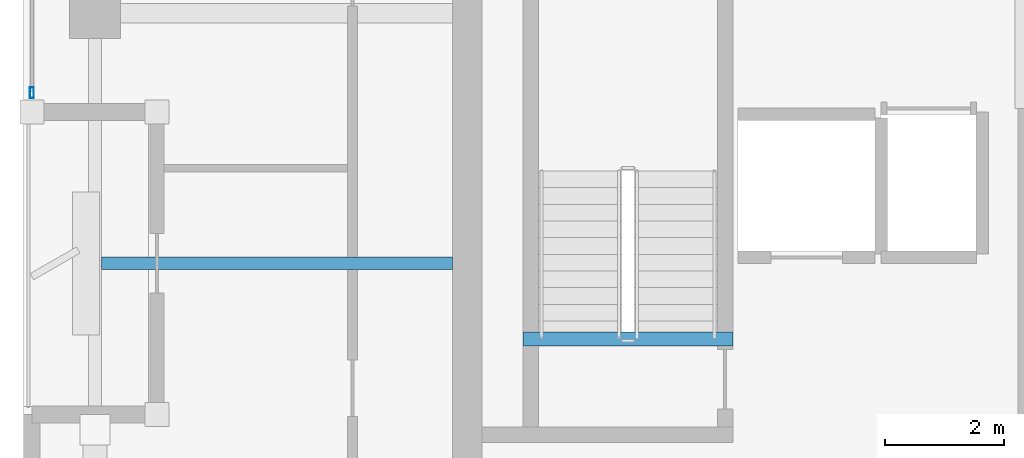
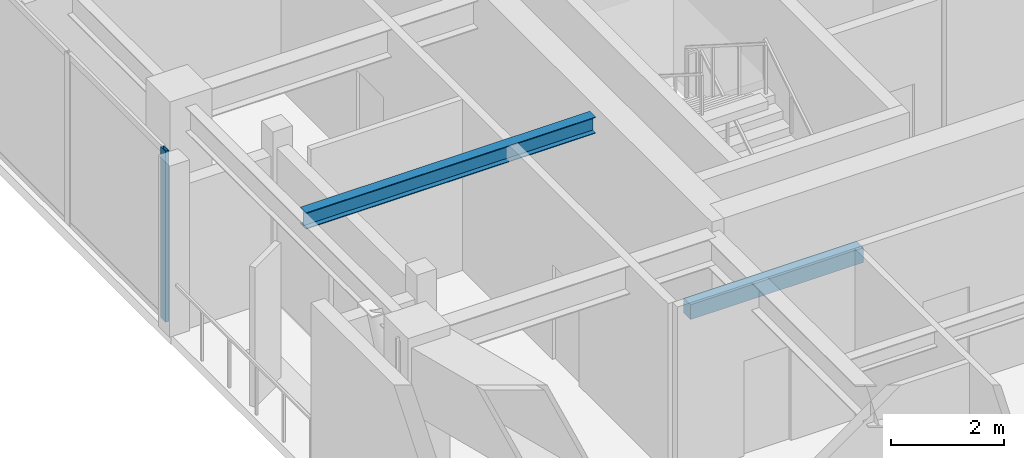
# One storey, part 2 of 16: 2 beams, 1 member, 1 element without a shape of its own.
"""IFC4 building model written with IfcOpenShell, lengths in metres."""

from ifc_helpers import new_model, si_unit, direction, frame, origin, origin_2d, place, context, subcontext, project, spatial, rectangle, hollow_rectangle, i_section, extrude, material, layer, layer_set, material_profile, profile_set, type_object, element, aggregate, save


model = new_model("IFC4")

# Units and contexts
model_context = context("Model", 3, precision=1e-05, world=origin(), true_north=direction((0.0, 1.0)))
body_context = subcontext(model_context, "Body", "Model", "MODEL_VIEW")
ifc_project = project(units=[si_unit("LENGTHUNIT", "METRE"), si_unit("AREAUNIT", "SQUARE_METRE"), si_unit("VOLUMEUNIT", "CUBIC_METRE"), si_unit("PLANEANGLEUNIT", "RADIAN"), si_unit("MASSUNIT", "GRAM", prefix="KILO")], contexts=[model_context])

# Site, building, storey
site_placement = place(None, origin())
site = spatial("IfcSite", under=ifc_project, at=site_placement, CompositionType="ELEMENT")
building_placement = place(site_placement, origin())
building = spatial("IfcBuilding", under=site, at=building_placement, Name="Kiyonajd Concourse Tower", CompositionType="ELEMENT")
storey_placement = place(building_placement, frame((0.0, 0.0, 302.39990234375)))
storey = spatial("IfcBuildingStorey", under=building, at=storey_placement, Name="L76", CompositionType="ELEMENT", Elevation=302.39990234375)

# Beams
ifc_material_1 = material(Name="Steel ASTM A992 Grade 50", Category="steel")
ifc_material_profile_1 = material_profile(ifc_material_1, i_section(OverallWidth=0.205078125, OverallDepth=0.35400390625, WebThickness=0.009521484375, FlangeThickness=0.016845703125, at=origin_2d()), Name="W360X79")
ifc_profile_set_1 = profile_set([ifc_material_profile_1], Name="Steel ASTM A992 Grade 50")
beam_type_1 = type_object("IfcBeamType", Name="BM-JST-360", PredefinedType="JOIST", material=ifc_profile_set_1)
beam_1_placement = place(storey_placement, frame((26.505615234375, 31.800048828125, 3.503173828125), z_axis=(1.0, 0.0, 0.0), x_axis=(0.0, 1.0, 0.0)))
element("IfcBeam", 1, at=beam_1_placement, inside=storey, type_object=beam_type_1, Name="L76 West Secondary Floor Joist", PredefinedType="JOIST", context=body_context, shape_type="SweptSolid", body=[
    extrude(i_section(OverallWidth=0.205078125, OverallDepth=0.35400390625, WebThickness=0.009521484375, FlangeThickness=0.016845703125, at=origin_2d()), origin(), (0.0, 0.0, 1.0), 5.894287109375),
])
ifc_material_2 = material(Name="Concrete C50/60", Category="concrete")
ifc_material_profile_2 = material_profile(ifc_material_2, rectangle(XDim=0.239990234375, YDim=0.320068359375, at=origin_2d()), Name="RCBM-240x320")
ifc_profile_set_2 = profile_set([ifc_material_profile_2], Name="Concrete C50/60")
beam_type_2 = type_object("IfcBeamType", Name="BM-LNT-250", PredefinedType="LINTEL", material=ifc_profile_set_2)
beam_2_placement = place(storey_placement, frame((33.590087890625, 30.530029296875, -0.159912109375), z_axis=(1.0, 0.0, 0.0), x_axis=(0.0, 1.0, 0.0)))
element("IfcBeam", 2, at=beam_2_placement, inside=storey, type_object=beam_type_2, Name="L76 Stair ST1 Threshold Support Beam", PredefinedType="LINTEL", context=body_context, shape_type="SweptSolid", body=[
    extrude(rectangle(XDim=0.239990234375, YDim=0.320068359375, at=origin_2d()), origin(), (0.0, 0.0, 1.0), 3.52001953125),
])

# Curtain wall, member
ifc_material_3 = material(Name="Thermally Broken Anodised Aluminium", Category="aluminium")
ifc_layer = layer(ifc_material_3, 0.179931640625)
ifc_layer_set = layer_set([ifc_layer], Name="Thermally Broken Anodised Aluminium")
curtain_wall_type = type_object("IfcCurtainWallType", Name="CW-SYS-04", PredefinedType="NOTDEFINED", material=ifc_layer_set)
curtain_wall_placement = place(storey_placement, origin())
curtain_wall = element("IfcCurtainWall", 3, at=curtain_wall_placement, inside=storey, type_object=curtain_wall_type, Name="L76 Unitised Curtain Wall CW4", PredefinedType="NOTDEFINED")
ifc_material_profile_3 = material_profile(ifc_material_3, hollow_rectangle(XDim=0.06494140625, YDim=0.179931640625, WallThickness=0.00390625, at=origin_2d()), Name="MULL-65x180")
ifc_profile_set_3 = profile_set([ifc_material_profile_3], Name="Thermally Broken Anodised Aluminium")
member_type = type_object("IfcMemberType", Name="MB-CW-MULL1", PredefinedType="MULLION", material=ifc_profile_set_3)
member_placement = place(storey_placement, frame((25.340087890625, 34.66259765625, 0.0), z_axis=(0.0, 0.0, 1.0), x_axis=(-1.0, 0.0, 0.0)))
member = element("IfcMember", 4, at=member_placement, type_object=member_type, Name="CW4 mullion 1", PredefinedType="MULLION", context=body_context, shape_type="SweptSolid", body=[
    extrude(hollow_rectangle(XDim=0.06494140625, YDim=0.179931640625, WallThickness=0.00390625, at=origin_2d()), origin(), (0.0, 0.0, 1.0), 3.68017578125),
])
aggregate(curtain_wall, [member])

save(model, "model.ifc")
